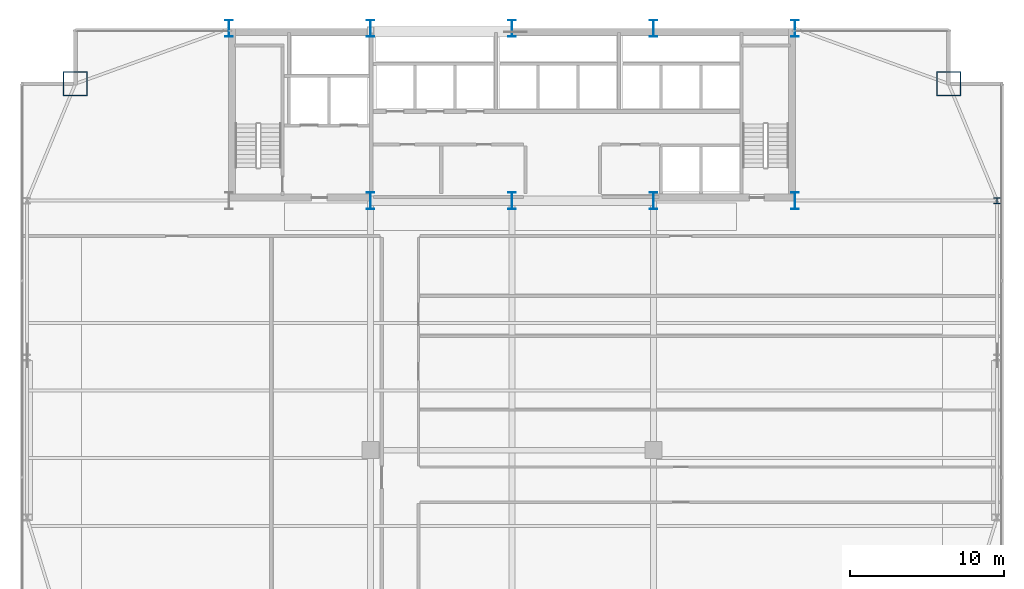
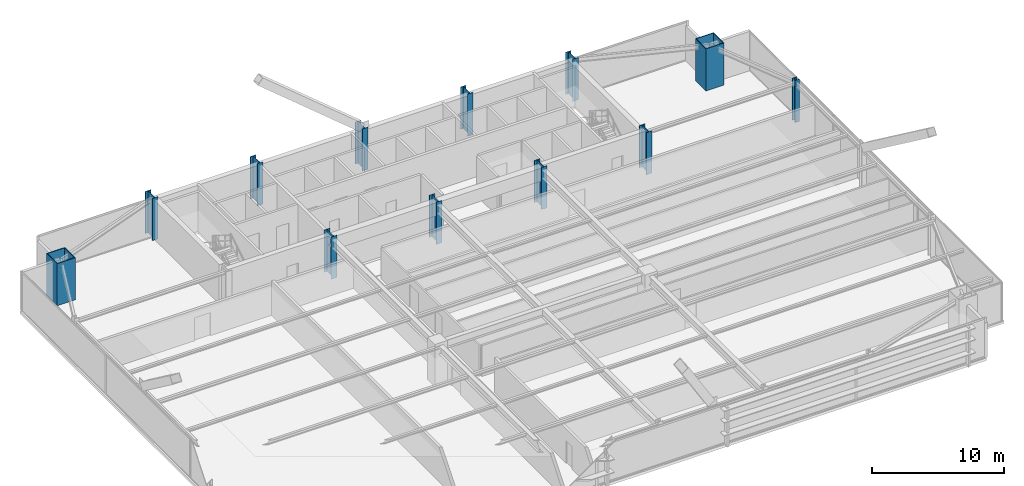
# One storey, part 2 of 35: 12 columns.
"""IFC4 building model written with IfcOpenShell, lengths in metres."""

from ifc_helpers import new_model, si_unit, direction, frame, origin, origin_2d, place, context, subcontext, project, spatial, hollow_rectangle, i_section, extrude, source, transform, mapped, material, material_profile, profile_set, type_object, type_shapes, element, save


model = new_model("IFC4")

# Units and contexts
model_context = context("Model", 3, precision=1e-05, world=origin(), true_north=direction((0.0, 1.0)))
body_context = subcontext(model_context, "Body", "Model", "MODEL_VIEW")
ifc_project = project(units=[si_unit("LENGTHUNIT", "METRE"), si_unit("AREAUNIT", "SQUARE_METRE"), si_unit("VOLUMEUNIT", "CUBIC_METRE"), si_unit("PLANEANGLEUNIT", "RADIAN"), si_unit("MASSUNIT", "GRAM", prefix="KILO")], contexts=[model_context])

# Site, building, storey
site_placement = place(None, origin())
site = spatial("IfcSite", under=ifc_project, at=site_placement, CompositionType="ELEMENT")
building_placement = place(site_placement, origin())
building = spatial("IfcBuilding", under=site, at=building_placement, Name="Varnel Quay Broadcast Tower", CompositionType="ELEMENT")
storey_placement = place(building_placement, frame((0.0, 0.0, 31.5)))
storey = spatial("IfcBuildingStorey", under=building, at=storey_placement, Name="L06", CompositionType="ELEMENT", Elevation=31.5)

# Columns
ifc_material_1 = material(Name="Structural Steel CSA G40.21 350WT", Category="steel")
ifc_material_profile_1 = material_profile(ifc_material_1, i_section(OverallWidth=0.5, OverallDepth=1.10009765625, WebThickness=0.01806640625, FlangeThickness=0.031982421875, FilletRadius=0.01806640625, at=origin_2d()), Name="WWF1100X418")
ifc_profile_set_1 = profile_set([ifc_material_profile_1], Name="Structural Steel CSA G40.21 350WT")
column_type_1 = type_object("IfcColumnType", Name="Col_WWF1100X418", PredefinedType="COLUMN", material=ifc_profile_set_1)
shared_shape_1 = source(origin(), body_context, "Body", "SweptSolid", [
    extrude(i_section(OverallWidth=0.5, OverallDepth=1.10009765625, WebThickness=0.01806640625, FlangeThickness=0.031982421875, FilletRadius=0.01806640625, at=origin_2d()), origin(), (0.0, 0.0, 1.0), 3.89990234375),
])
type_shapes(column_type_1, [shared_shape_1])
for number, where, z_axis, x_axis, name in (
    (1, (15.60009765625, 46.800048828125, 0.0), (0.0, 0.0, 1.0), (1.0, 0.0, 0.0), "L06 Column CC-N1"),
    (2, (24.800048828125, 35.60009765625, 0.0), (0.0, 0.0, 1.0), (1.0, 0.0, 0.0), "L06 Column CC-S2"),
    (3, (24.800048828125, 46.800048828125, 0.0), (0.0, 0.0, 1.0), (1.0, 0.0, 0.0), "L06 Column CC-N2"),
    (4, (34.0, 35.60009765625, 0.0), (0.0, 0.0, 1.0), (1.0, 0.0, 0.0), "L06 Column CC-S3"),
    (5, (34.0, 46.800048828125, 0.0), (0.0, 0.0, 1.0), (1.0, 0.0, 0.0), "L06 Column CC-N3"),
    (6, (43.199951171875, 35.60009765625, 0.0), (0.0, 0.0, 1.0), (1.0, 0.0, 0.0), "L06 Column CC-S4"),
    (7, (43.199951171875, 46.800048828125, 0.0), (0.0, 0.0, 1.0), (1.0, 0.0, 0.0), "L06 Column CC-N4"),
    (8, (52.39990234375, 35.60009765625, 0.0), (0.0, 0.0, 1.0), (1.0, 0.0, 0.0), "L06 Column CC-S5"),
    (9, (52.39990234375, 46.800048828125, 0.0), (0.0, 0.0, 1.0), (1.0, 0.0, 0.0), "L06 Column CC-N5"),
):
    element("IfcColumn", number, at=place(storey_placement, frame(where, z_axis=z_axis, x_axis=x_axis)), inside=storey, type_object=column_type_1, Name=name, PredefinedType="COLUMN", context=body_context, shape_type="MappedRepresentation", body=[
        mapped(shared_shape_1, transform((0.0, 0.0, 0.0), x_axis=(1.0, 0.0, 0.0), y_axis=(0.0, 1.0, 0.0), z_axis=(0.0, 0.0, 1.0), scale=1.0)),
    ])
ifc_material_profile_2 = material_profile(ifc_material_1, hollow_rectangle(XDim=1.60009765625, YDim=1.60009765625, WallThickness=0.06005859375, at=origin_2d()), Name="BOX1600X1600X60")
ifc_profile_set_2 = profile_set([ifc_material_profile_2], Name="Structural Steel CSA G40.21 350WT")
column_type_2 = type_object("IfcColumnType", Name="Col_BOX1600X1600X60", PredefinedType="COLUMN", material=ifc_profile_set_2)
shared_shape_2 = source(origin(), body_context, "Body", "SweptSolid", [
    extrude(hollow_rectangle(XDim=1.60009765625, YDim=1.60009765625, WallThickness=0.06005859375, at=origin_2d()), origin(), (0.0, 0.0, 1.0), 3.89990234375),
])
type_shapes(column_type_2, [shared_shape_2])
for number, where, z_axis, x_axis, name in (
    (10, (62.39990234375, 43.199951171875, 0.0), (0.0, 0.0, 1.0), (1.0, 0.0, 0.0), "L06 Column MC-NE"),
    (11, (5.60009765625, 43.199951171875, 0.0), (0.0, 0.0, 1.0), (1.0, 0.0, 0.0), "L06 Column MC-NW"),
):
    element("IfcColumn", number, at=place(storey_placement, frame(where, z_axis=z_axis, x_axis=x_axis)), inside=storey, type_object=column_type_2, Name=name, PredefinedType="COLUMN", context=body_context, shape_type="MappedRepresentation", body=[
        mapped(shared_shape_2, transform((0.0, 0.0, 0.0), x_axis=(1.0, 0.0, 0.0), y_axis=(0.0, 1.0, 0.0), z_axis=(0.0, 0.0, 1.0), scale=1.0)),
    ])
ifc_material_2 = material(Name="Structural Steel CSA G40.21 350W", Category="steel")
ifc_material_profile_3 = material_profile(ifc_material_2, i_section(OverallWidth=0.404052734375, OverallDepth=0.406982421875, WebThickness=0.027099609375, FlangeThickness=0.043701171875, FilletRadius=0.01806640625, at=origin_2d()), Name="W360X347")
ifc_profile_set_3 = profile_set([ifc_material_profile_3], Name="Structural Steel CSA G40.21 350W")
column_type_3 = type_object("IfcColumnType", Name="Col_W360X347", PredefinedType="COLUMN", material=ifc_profile_set_3)
shared_shape_3 = source(origin(), body_context, "Body", "SweptSolid", [
    extrude(i_section(OverallWidth=0.404052734375, OverallDepth=0.406982421875, WebThickness=0.027099609375, FlangeThickness=0.043701171875, FilletRadius=0.01806640625, at=origin_2d()), origin(), (0.0, 0.0, 1.0), 3.89990234375),
])
type_shapes(column_type_3, [shared_shape_3])
column_placement = place(storey_placement, frame((65.550048828125, 35.60009765625, 0.0), z_axis=(0.0, 0.0, 1.0), x_axis=(1.0, 0.0, 0.0)))
element("IfcColumn", 12, at=column_placement, inside=storey, type_object=column_type_3, Name="L06 Column TC-E3", PredefinedType="COLUMN", context=body_context, shape_type="MappedRepresentation", body=[
    mapped(shared_shape_3, transform((0.0, 0.0, 0.0), x_axis=(1.0, 0.0, 0.0), y_axis=(0.0, 1.0, 0.0), z_axis=(0.0, 0.0, 1.0), scale=1.0)),
])

save(model, "model.ifc")
